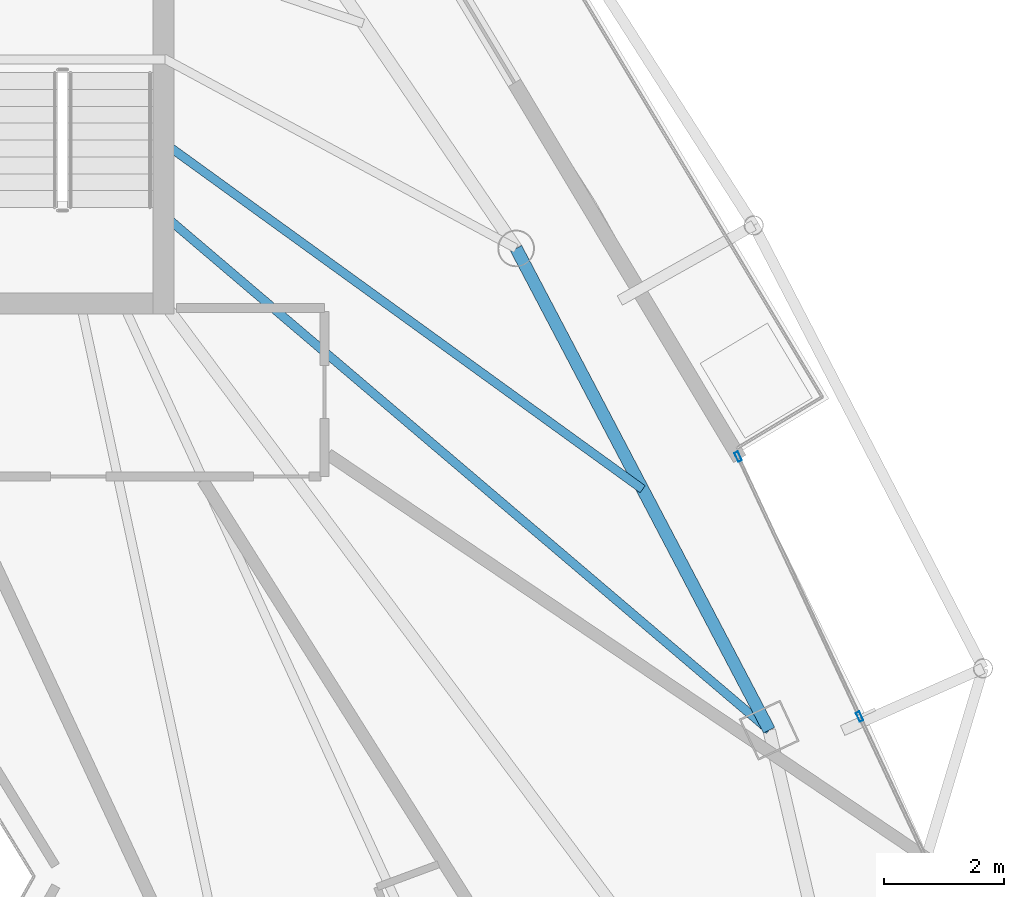
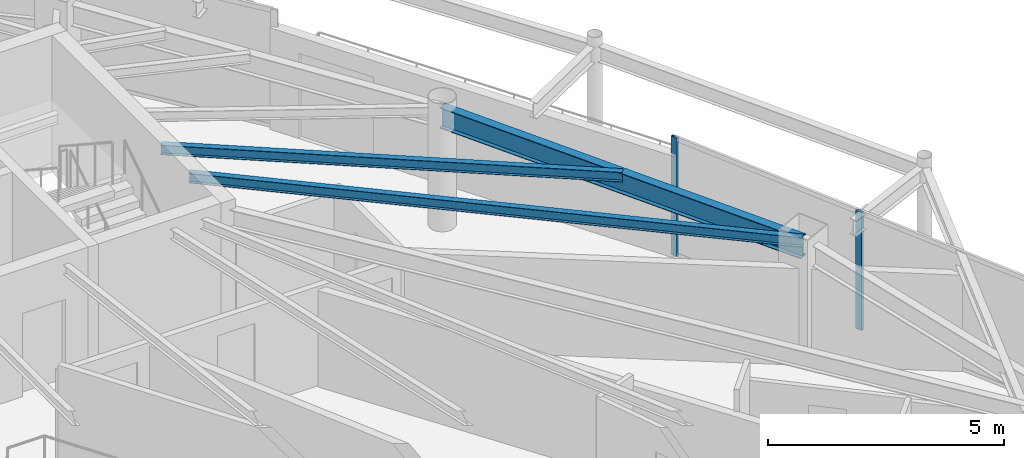
# One storey, part 17 of 29: 3 beams, 2 members, 1 element without a shape of its own.
"""IFC4 building model written with IfcOpenShell, lengths in metres."""

import ifcopenshell
import ifcopenshell.guid

model = None  # the IFC model being written
_history = None  # IfcOwnerHistory: only IFC2X3 demands one
_inside = {}  # id of a spatial element -> (the spatial element, [elements in it])
_under = {}  # id of a project, library or spatial element -> (it, [spatial elements below it])
_declared = {}  # id of a project -> (the project, [libraries it declares])
_typed = {}  # id of a type object -> (the type object, [elements of that type])
_made_of = {}  # id of a material, layer set ... -> (it, [elements and type objects made of it])


def new_model(schema):
    """Start an empty IFC model of exactly this schema.

    Asked for "IFC4X3", IfcOpenShell would pick the latest addendum, in which some entities
    have other attributes; the version numbers below select the first issue.
    IFC2X3 requires an IfcOwnerHistory on every rooted entity: one is made here for all.
    """
    global model, _history
    if schema == "IFC4X3":
        model = ifcopenshell.file(schema_version=(4, 3, 0, 0))
    else:
        model = ifcopenshell.file(schema=schema)
    _inside.clear()
    _under.clear()
    _declared.clear()
    _typed.clear()
    _made_of.clear()
    _history = None
    if model.schema == "IFC2X3":
        org = make("IfcOrganization", Name="unknown")
        user = make(
            "IfcPersonAndOrganization",
            ThePerson=make("IfcPerson", FamilyName="unknown"),
            TheOrganization=org,
        )
        app = make(
            "IfcApplication",
            ApplicationDeveloper=org,
            Version="unknown",
            ApplicationFullName="unknown",
            ApplicationIdentifier="unknown",
        )
        _history = make(
            "IfcOwnerHistory",
            OwningUser=user,
            OwningApplication=app,
            ChangeAction="ADDED",
            CreationDate=0,
        )
    return model


def make(cls, **values):
    """One entity of the class cls with the attributes given. An attribute that is None is left unset."""
    return model.create_entity(
        cls, **{name: value for name, value in values.items() if value is not None}
    )


def rooted(cls, **values):
    """An entity with a GlobalId (a new one), such as an element, a storey or a relation."""
    return make(cls, GlobalId=ifcopenshell.guid.new(), OwnerHistory=_history, **values)


def si_unit(unit_type, name, prefix=None):
    """IfcSIUnit, for example si_unit("LENGTHUNIT", "METRE", prefix="MILLI")."""
    return make("IfcSIUnit", UnitType=unit_type, Prefix=prefix, Name=name)


def assignment(units):
    """IfcUnitAssignment: the units of a project."""
    return None if units is None else make("IfcUnitAssignment", Units=units)


def point(xyz):
    """IfcCartesianPoint."""
    return None if xyz is None else make("IfcCartesianPoint", Coordinates=xyz)


def direction(xyz):
    """IfcDirection."""
    return None if xyz is None else make("IfcDirection", DirectionRatios=xyz)


def frame(location, z_axis=None, x_axis=None):
    """IfcAxis2Placement3D, a coordinate frame: its origin and axes. An axis left out is left unset."""
    return make(
        "IfcAxis2Placement3D",
        Location=point(location),
        Axis=direction(z_axis),
        RefDirection=direction(x_axis),
    )


def frame_2d(location, x_axis=None):
    """IfcAxis2Placement2D, a coordinate frame in the plane: its origin and x axis."""
    return make(
        "IfcAxis2Placement2D", Location=point(location), RefDirection=direction(x_axis)
    )


def origin():
    """The frame at (0, 0, 0) with its axes left unset."""
    return frame((0.0, 0.0, 0.0))


def origin_2d():
    """The frame at (0, 0) in the plane with its x axis left unset."""
    return frame_2d((0.0, 0.0))


def place(relative_to, where):
    """IfcLocalPlacement: puts the frame where relative to a parent placement (None: the world)."""
    return make(
        "IfcLocalPlacement", PlacementRelTo=relative_to, RelativePlacement=where
    )


def context(
    kind, dimensions, precision=None, world=None, true_north=None, identifier=None
):
    """IfcGeometricRepresentationContext, for example the 3D "Model" context."""
    return make(
        "IfcGeometricRepresentationContext",
        ContextIdentifier=identifier,
        ContextType=kind,
        CoordinateSpaceDimension=dimensions,
        Precision=precision,
        WorldCoordinateSystem=world,
        TrueNorth=true_north,
    )


def subcontext(parent, identifier, kind, view, scale=None):
    """IfcGeometricRepresentationSubContext, for example "Body" below "Model"."""
    return make(
        "IfcGeometricRepresentationSubContext",
        ContextIdentifier=identifier,
        ContextType=kind,
        ParentContext=parent,
        TargetScale=scale,
        TargetView=view,
    )


def project(units=None, contexts=None):
    """IfcProject with its units and contexts."""
    return rooted(
        "IfcProject",
        Name="project",
        RepresentationContexts=contexts,
        UnitsInContext=assignment(units),
    )


def spatial(cls, under=None, at=None, **own):
    """A site, building, storey or space (cls), placed at a placement, below another one or the project."""
    s = rooted(cls, ObjectPlacement=at, **own)
    if under is not None:
        _under.setdefault(under.id(), (under, []))[1].append(s)
    return s


def profile(cls, at=None, kind="AREA", **sizes):
    """A parametric profile (cls). Its sizes go by their IFC names, for example OverallWidth=200.0."""
    return make(cls, ProfileType=kind, Position=at, **sizes)


def hollow_rectangle(**sizes):
    """IfcRectangleHollowProfileDef."""
    return profile("IfcRectangleHollowProfileDef", **sizes)


def i_section(**sizes):
    """IfcIShapeProfileDef."""
    return profile("IfcIShapeProfileDef", **sizes)


def extrude(swept, where, along, depth):
    """IfcExtrudedAreaSolid: the profile swept, set in the frame where, extruded along a direction by depth."""
    return make(
        "IfcExtrudedAreaSolid",
        SweptArea=swept,
        Position=where,
        ExtrudedDirection=direction(along),
        Depth=depth,
    )


def shape(context_of_items, identifier, shape_type, items):
    """IfcShapeRepresentation: the items that make up one representation, for example the "Body"."""
    return make(
        "IfcShapeRepresentation",
        ContextOfItems=context_of_items,
        RepresentationIdentifier=identifier,
        RepresentationType=shape_type,
        Items=items,
    )


def material(Name=None, Category=None):
    """IfcMaterial."""
    return make("IfcMaterial", Name=Name, Category=Category)


def layer(
    of_material, thickness, ventilated=None, Name=None, Category=None, Priority=None
):
    """IfcMaterialLayer: one layer of a wall or slab, of a material (None: an air gap)."""
    return make(
        "IfcMaterialLayer",
        Material=of_material,
        LayerThickness=thickness,
        IsVentilated=ventilated,
        Name=Name,
        Category=Category,
        Priority=Priority,
    )


def layer_set(layers, Name=None):
    """IfcMaterialLayerSet."""
    return make("IfcMaterialLayerSet", MaterialLayers=layers, LayerSetName=Name)


def material_profile(
    of_material, cross_section, Name=None, Category=None, Priority=None
):
    """IfcMaterialProfile: a cross section and its material."""
    return make(
        "IfcMaterialProfile",
        Name=Name,
        Material=of_material,
        Profile=cross_section,
        Priority=Priority,
        Category=Category,
    )


def profile_set(profiles, Name=None, composite=None):
    """IfcMaterialProfileSet."""
    return make(
        "IfcMaterialProfileSet",
        Name=Name,
        MaterialProfiles=profiles,
        CompositeProfile=composite,
    )


def made_of(thing, what):
    """Note that an element or type object is made of a material, layer set ...; save() writes the relation."""
    if what is not None:
        _made_of.setdefault(what.id(), (what, []))[1].append(thing)
    return thing


def type_object(cls, material=None, **own):
    """A type object (cls), such as IfcWallType, which elements share."""
    return made_of(rooted(cls, **own), material)


def element(
    cls,
    number,
    at=None,
    inside=None,
    cuts=None,
    type_object=None,
    material=None,
    context=None,
    identifier="Body",
    shape_type=None,
    held_by="IfcProductDefinitionShape",
    body=None,
    shapes=None,
    **own,
):
    """One element of the class cls, such as IfcWall. Its Tag is "e" and its number.

    at: its placement. inside: the storey or other place that contains it. cuts: it is an
    opening in that element (IfcRelVoidsElement). A single representation is given by context,
    identifier, shape_type and body (its items); several are given by shapes. held_by: the class
    of the entity that holds the representations. save() writes the other relations.
    """
    e = rooted(cls, Tag="e%d" % number, ObjectPlacement=at, **own)
    if body is not None:
        shapes = [shape(context, identifier, shape_type, body)]
    if shapes is not None:
        e.Representation = make(held_by, Representations=shapes)
    if inside is not None:
        _inside.setdefault(inside.id(), (inside, []))[1].append(e)
    if cuts is not None:
        rooted(
            "IfcRelVoidsElement", RelatingBuildingElement=cuts, RelatedOpeningElement=e
        )
    if type_object is not None:
        _typed.setdefault(type_object.id(), (type_object, []))[1].append(e)
    return made_of(e, material)


def aggregate(whole, parts):
    """IfcRelAggregates: a whole, such as a stair, and the parts it consists of."""
    return rooted("IfcRelAggregates", RelatingObject=whole, RelatedObjects=parts)


def save(model, path):
    """Write the relations noted so far, then the file.

    IfcRelAggregates (storeys below a building ...), IfcRelContainedInSpatialStructure (elements
    in a storey), IfcRelDefinesByType, IfcRelAssociatesMaterial and IfcRelDeclares: one each for
    every whole, place, type object, material and project.
    """
    for whole, parts in _under.values():
        aggregate(whole, parts)
    for where, things in _inside.values():
        rooted(
            "IfcRelContainedInSpatialStructure",
            RelatedElements=things,
            RelatingStructure=where,
        )
    for kind, things in _typed.values():
        rooted("IfcRelDefinesByType", RelatedObjects=things, RelatingType=kind)
    for what, things in _made_of.values():
        rooted("IfcRelAssociatesMaterial", RelatedObjects=things, RelatingMaterial=what)
    for by, libraries in _declared.values():
        rooted("IfcRelDeclares", RelatingContext=by, RelatedDefinitions=libraries)
    model.write(path)


model = new_model("IFC4")

# Units and contexts
model_context = context("Model", 3, precision=1e-05, world=origin(), true_north=direction((0.0, 1.0)))
body_context = subcontext(model_context, "Body", "Model", "MODEL_VIEW")
ifc_project = project(units=[si_unit("LENGTHUNIT", "METRE"), si_unit("AREAUNIT", "SQUARE_METRE"), si_unit("VOLUMEUNIT", "CUBIC_METRE"), si_unit("PLANEANGLEUNIT", "RADIAN"), si_unit("MASSUNIT", "GRAM", prefix="KILO")], contexts=[model_context])

# Site, building, storey
site_placement = place(None, origin())
site = spatial("IfcSite", under=ifc_project, at=site_placement, CompositionType="ELEMENT")
building_placement = place(site_placement, origin())
building = spatial("IfcBuilding", under=site, at=building_placement, Name="Orvanel Arch Residences", CompositionType="ELEMENT")
storey_placement = place(building_placement, frame((0.0, 0.0, 250.25)))
storey = spatial("IfcBuildingStorey", under=building, at=storey_placement, Name="L71", CompositionType="ELEMENT", Elevation=250.25)

# Beams
ifc_material_1 = material(Name="Structural steel AS/NZS 3679.1 Grade 300 (300 MPa)", Category="steel")
ifc_material_profile_1 = material_profile(ifc_material_1, i_section(OverallWidth=0.14599609375, OverallDepth=0.251953125, WebThickness=0.006103515625, FlangeThickness=0.008544921875, at=origin_2d()), Name="250UB31.4")
ifc_profile_set_1 = profile_set([ifc_material_profile_1], Name="Structural steel AS/NZS 3679.1 Grade 300 (300 MPa)")
beam_type_1 = type_object("IfcBeamType", Name="BJ-250UB", PredefinedType="JOIST", material=ifc_profile_set_1)
beam_1_placement = place(storey_placement, frame((39.574951171875, 28.199951171875, 2.93408203125), z_axis=(0.761622669031, -0.64802076357, 0.0), x_axis=(0.64802076357, 0.761622669031, 0.0)))
element("IfcBeam", 1, at=beam_1_placement, inside=storey, type_object=beam_type_1, Name="L71 E Wing Floor Joist", PredefinedType="JOIST", context=body_context, shape_type="SweptSolid", body=[
    extrude(i_section(OverallWidth=0.14599609375, OverallDepth=0.251953125, WebThickness=0.006103515625, FlangeThickness=0.008544921875, at=origin_2d()), origin(), (0.0, 0.0, 1.0), 13.2060546875),
])
beam_2_placement = place(storey_placement, frame((39.574951171875, 29.39990234375, 2.93408203125), z_axis=(0.810144032972, -0.586230881002, 0.0), x_axis=(0.586230881002, 0.810144032972, 0.0)))
element("IfcBeam", 2, at=beam_2_placement, inside=storey, type_object=beam_type_1, Name="L71 CTE Wing Floor Joist", PredefinedType="JOIST", context=body_context, shape_type="SweptSolid", body=[
    extrude(i_section(OverallWidth=0.14599609375, OverallDepth=0.251953125, WebThickness=0.006103515625, FlangeThickness=0.008544921875, at=origin_2d()), origin(), (0.0, 0.0, 1.0), 9.82177734375),
])

# Curtain wall, members
ifc_material_2 = material(Name="Bronze-anodised aluminium AA6063-T6", Category="aluminium")
ifc_layer = layer(ifc_material_2, 0.175048828125)
ifc_layer_set = layer_set([ifc_layer], Name="Bronze-anodised aluminium AA6063-T6")
curtain_wall_type = type_object("IfcCurtainWallType", Name="CW4-HI-SYS", PredefinedType="NOTDEFINED", material=ifc_layer_set)
curtain_wall_placement = place(storey_placement, origin())
curtain_wall = element("IfcCurtainWall", 3, at=curtain_wall_placement, inside=storey, type_object=curtain_wall_type, Name="L71 CW4-HI-SYS Unitised Curtain Wall", PredefinedType="NOTDEFINED")
ifc_material_profile_2 = material_profile(ifc_material_2, hollow_rectangle(XDim=0.06494140625, YDim=0.159912109375, WallThickness=0.00390625, at=origin_2d()), Name="ALU160x65x4")
ifc_profile_set_2 = profile_set([ifc_material_profile_2], Name="Bronze-anodised aluminium AA6063-T6")
member_type = type_object("IfcMemberType", Name="MUL-160x65", PredefinedType="MULLION", material=ifc_profile_set_2)
member_1_placement = place(storey_placement, frame((51.134521484375, 19.867431640625, 0.0), z_axis=(0.0, 0.0, 1.0), x_axis=(-0.905975305707, -0.423330539235, 0.0)))
member_1 = element("IfcMember", 4, at=member_1_placement, type_object=member_type, Name="CW-S4 mullion 2", PredefinedType="MULLION", context=body_context, shape_type="SweptSolid", body=[
    extrude(hollow_rectangle(XDim=0.06494140625, YDim=0.159912109375, WallThickness=0.00390625, at=origin_2d()), origin(), (0.0, 0.0, 1.0), 3.06005859375),
])
member_2_placement = place(storey_placement, frame((49.11767578125, 24.18359375, 0.0), z_axis=(0.0, 0.0, 1.0), x_axis=(-0.905975305707, -0.423330539235, 0.0)))
member_2 = element("IfcMember", 5, at=member_2_placement, type_object=member_type, Name="CW-S4 mullion 3", PredefinedType="MULLION", context=body_context, shape_type="SweptSolid", body=[
    extrude(hollow_rectangle(XDim=0.06494140625, YDim=0.159912109375, WallThickness=0.00390625, at=origin_2d()), origin(), (0.0, 0.0, 1.0), 3.06005859375),
])
aggregate(curtain_wall, [member_1, member_2])

# Beam
ifc_material_profile_3 = material_profile(ifc_material_1, i_section(OverallWidth=0.208984375, OverallDepth=0.532958984375, WebThickness=0.01025390625, FlangeThickness=0.015625, at=origin_2d()), Name="530UB92.4")
ifc_profile_set_3 = profile_set([ifc_material_profile_3], Name="Structural steel AS/NZS 3679.1 Grade 300 (300 MPa)")
beam_type_2 = type_object("IfcBeamType", Name="SP-530UB", PredefinedType="SPANDREL", material=ifc_profile_set_3)
beam_3_placement = place(storey_placement, frame((49.633056640625, 19.64208984375, 2.79296875), z_axis=(-0.465064762793, 0.885276660942, 0.0), x_axis=(-0.885276660942, -0.465064762793, 0.0)))
element("IfcBeam", 6, at=beam_3_placement, inside=storey, type_object=beam_type_2, Name="L71 Perimeter Spandrel Beam 07", PredefinedType="SPANDREL", context=body_context, shape_type="SweptSolid", body=[
    extrude(i_section(OverallWidth=0.208984375, OverallDepth=0.532958984375, WebThickness=0.01025390625, FlangeThickness=0.015625, at=origin_2d()), origin(), (0.0, 0.0, 1.0), 9.03564453125),
])

save(model, "model.ifc")
